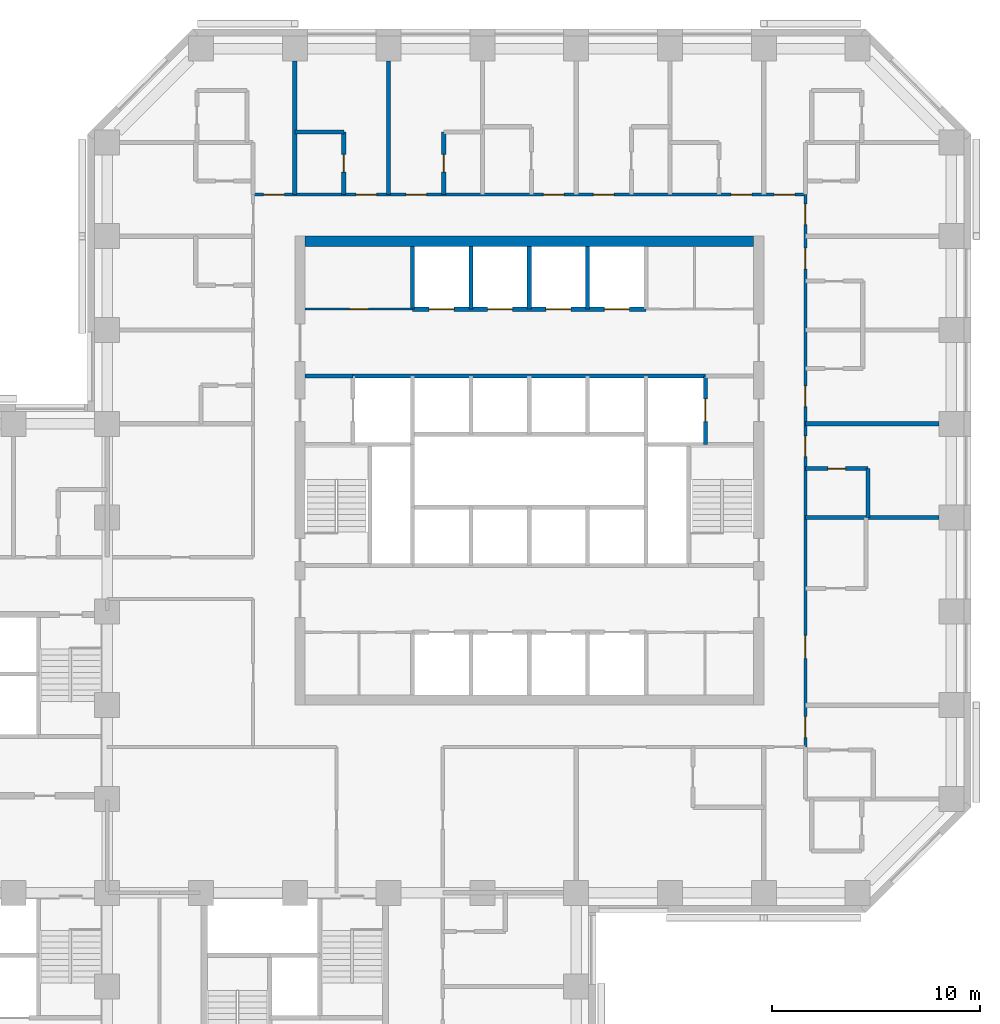
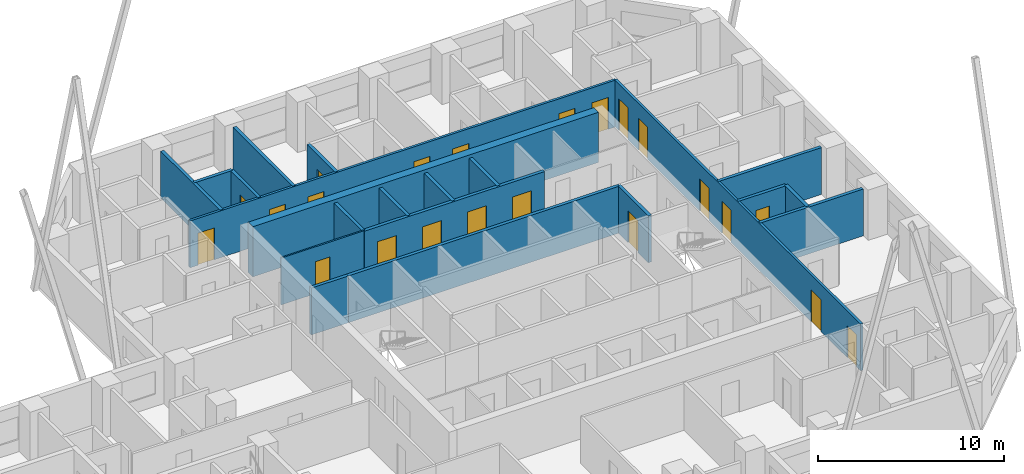
# One storey, part 10 of 14: 22 doors, 21 walls, 22 openings.
"""IFC4 building model written with IfcOpenShell, lengths in metres."""

import ifcopenshell
import ifcopenshell.guid

model = None  # the IFC model being written
_history = None  # IfcOwnerHistory: only IFC2X3 demands one
_inside = {}  # id of a spatial element -> (the spatial element, [elements in it])
_under = {}  # id of a project, library or spatial element -> (it, [spatial elements below it])
_declared = {}  # id of a project -> (the project, [libraries it declares])
_typed = {}  # id of a type object -> (the type object, [elements of that type])
_made_of = {}  # id of a material, layer set ... -> (it, [elements and type objects made of it])


def new_model(schema):
    """Start an empty IFC model of exactly this schema.

    Asked for "IFC4X3", IfcOpenShell would pick the latest addendum, in which some entities
    have other attributes; the version numbers below select the first issue.
    IFC2X3 requires an IfcOwnerHistory on every rooted entity: one is made here for all.
    """
    global model, _history
    if schema == "IFC4X3":
        model = ifcopenshell.file(schema_version=(4, 3, 0, 0))
    else:
        model = ifcopenshell.file(schema=schema)
    _inside.clear()
    _under.clear()
    _declared.clear()
    _typed.clear()
    _made_of.clear()
    _history = None
    if model.schema == "IFC2X3":
        org = make("IfcOrganization", Name="unknown")
        user = make(
            "IfcPersonAndOrganization",
            ThePerson=make("IfcPerson", FamilyName="unknown"),
            TheOrganization=org,
        )
        app = make(
            "IfcApplication",
            ApplicationDeveloper=org,
            Version="unknown",
            ApplicationFullName="unknown",
            ApplicationIdentifier="unknown",
        )
        _history = make(
            "IfcOwnerHistory",
            OwningUser=user,
            OwningApplication=app,
            ChangeAction="ADDED",
            CreationDate=0,
        )
    return model


def make(cls, **values):
    """One entity of the class cls with the attributes given. An attribute that is None is left unset."""
    return model.create_entity(
        cls, **{name: value for name, value in values.items() if value is not None}
    )


def rooted(cls, **values):
    """An entity with a GlobalId (a new one), such as an element, a storey or a relation."""
    return make(cls, GlobalId=ifcopenshell.guid.new(), OwnerHistory=_history, **values)


def si_unit(unit_type, name, prefix=None):
    """IfcSIUnit, for example si_unit("LENGTHUNIT", "METRE", prefix="MILLI")."""
    return make("IfcSIUnit", UnitType=unit_type, Prefix=prefix, Name=name)


def assignment(units):
    """IfcUnitAssignment: the units of a project."""
    return None if units is None else make("IfcUnitAssignment", Units=units)


def point(xyz):
    """IfcCartesianPoint."""
    return None if xyz is None else make("IfcCartesianPoint", Coordinates=xyz)


def direction(xyz):
    """IfcDirection."""
    return None if xyz is None else make("IfcDirection", DirectionRatios=xyz)


def frame(location, z_axis=None, x_axis=None):
    """IfcAxis2Placement3D, a coordinate frame: its origin and axes. An axis left out is left unset."""
    return make(
        "IfcAxis2Placement3D",
        Location=point(location),
        Axis=direction(z_axis),
        RefDirection=direction(x_axis),
    )


def frame_2d(location, x_axis=None):
    """IfcAxis2Placement2D, a coordinate frame in the plane: its origin and x axis."""
    return make(
        "IfcAxis2Placement2D", Location=point(location), RefDirection=direction(x_axis)
    )


def origin():
    """The frame at (0, 0, 0) with its axes left unset."""
    return frame((0.0, 0.0, 0.0))


def place(relative_to, where):
    """IfcLocalPlacement: puts the frame where relative to a parent placement (None: the world)."""
    return make(
        "IfcLocalPlacement", PlacementRelTo=relative_to, RelativePlacement=where
    )


def context(
    kind, dimensions, precision=None, world=None, true_north=None, identifier=None
):
    """IfcGeometricRepresentationContext, for example the 3D "Model" context."""
    return make(
        "IfcGeometricRepresentationContext",
        ContextIdentifier=identifier,
        ContextType=kind,
        CoordinateSpaceDimension=dimensions,
        Precision=precision,
        WorldCoordinateSystem=world,
        TrueNorth=true_north,
    )


def subcontext(parent, identifier, kind, view, scale=None):
    """IfcGeometricRepresentationSubContext, for example "Body" below "Model"."""
    return make(
        "IfcGeometricRepresentationSubContext",
        ContextIdentifier=identifier,
        ContextType=kind,
        ParentContext=parent,
        TargetScale=scale,
        TargetView=view,
    )


def project(units=None, contexts=None):
    """IfcProject with its units and contexts."""
    return rooted(
        "IfcProject",
        Name="project",
        RepresentationContexts=contexts,
        UnitsInContext=assignment(units),
    )


def spatial(cls, under=None, at=None, **own):
    """A site, building, storey or space (cls), placed at a placement, below another one or the project."""
    s = rooted(cls, ObjectPlacement=at, **own)
    if under is not None:
        _under.setdefault(under.id(), (under, []))[1].append(s)
    return s


def profile(cls, at=None, kind="AREA", **sizes):
    """A parametric profile (cls). Its sizes go by their IFC names, for example OverallWidth=200.0."""
    return make(cls, ProfileType=kind, Position=at, **sizes)


def rectangle(**sizes):
    """IfcRectangleProfileDef."""
    return profile("IfcRectangleProfileDef", **sizes)


def extrude(swept, where, along, depth):
    """IfcExtrudedAreaSolid: the profile swept, set in the frame where, extruded along a direction by depth."""
    return make(
        "IfcExtrudedAreaSolid",
        SweptArea=swept,
        Position=where,
        ExtrudedDirection=direction(along),
        Depth=depth,
    )


def shape(context_of_items, identifier, shape_type, items):
    """IfcShapeRepresentation: the items that make up one representation, for example the "Body"."""
    return make(
        "IfcShapeRepresentation",
        ContextOfItems=context_of_items,
        RepresentationIdentifier=identifier,
        RepresentationType=shape_type,
        Items=items,
    )


def material(Name=None, Category=None):
    """IfcMaterial."""
    return make("IfcMaterial", Name=Name, Category=Category)


def layer(
    of_material, thickness, ventilated=None, Name=None, Category=None, Priority=None
):
    """IfcMaterialLayer: one layer of a wall or slab, of a material (None: an air gap)."""
    return make(
        "IfcMaterialLayer",
        Material=of_material,
        LayerThickness=thickness,
        IsVentilated=ventilated,
        Name=Name,
        Category=Category,
        Priority=Priority,
    )


def layer_set(layers, Name=None):
    """IfcMaterialLayerSet."""
    return make("IfcMaterialLayerSet", MaterialLayers=layers, LayerSetName=Name)


def made_of(thing, what):
    """Note that an element or type object is made of a material, layer set ...; save() writes the relation."""
    if what is not None:
        _made_of.setdefault(what.id(), (what, []))[1].append(thing)
    return thing


def type_object(cls, material=None, **own):
    """A type object (cls), such as IfcWallType, which elements share."""
    return made_of(rooted(cls, **own), material)


def element(
    cls,
    number,
    at=None,
    inside=None,
    cuts=None,
    type_object=None,
    material=None,
    context=None,
    identifier="Body",
    shape_type=None,
    held_by="IfcProductDefinitionShape",
    body=None,
    shapes=None,
    **own,
):
    """One element of the class cls, such as IfcWall. Its Tag is "e" and its number.

    at: its placement. inside: the storey or other place that contains it. cuts: it is an
    opening in that element (IfcRelVoidsElement). A single representation is given by context,
    identifier, shape_type and body (its items); several are given by shapes. held_by: the class
    of the entity that holds the representations. save() writes the other relations.
    """
    e = rooted(cls, Tag="e%d" % number, ObjectPlacement=at, **own)
    if body is not None:
        shapes = [shape(context, identifier, shape_type, body)]
    if shapes is not None:
        e.Representation = make(held_by, Representations=shapes)
    if inside is not None:
        _inside.setdefault(inside.id(), (inside, []))[1].append(e)
    if cuts is not None:
        rooted(
            "IfcRelVoidsElement", RelatingBuildingElement=cuts, RelatedOpeningElement=e
        )
    if type_object is not None:
        _typed.setdefault(type_object.id(), (type_object, []))[1].append(e)
    return made_of(e, material)


def fill(opening, filler):
    """IfcRelFillsElement: the door or window that sits in an opening."""
    return rooted(
        "IfcRelFillsElement",
        RelatingOpeningElement=opening,
        RelatedBuildingElement=filler,
    )


def aggregate(whole, parts):
    """IfcRelAggregates: a whole, such as a stair, and the parts it consists of."""
    return rooted("IfcRelAggregates", RelatingObject=whole, RelatedObjects=parts)


def save(model, path):
    """Write the relations noted so far, then the file.

    IfcRelAggregates (storeys below a building ...), IfcRelContainedInSpatialStructure (elements
    in a storey), IfcRelDefinesByType, IfcRelAssociatesMaterial and IfcRelDeclares: one each for
    every whole, place, type object, material and project.
    """
    for whole, parts in _under.values():
        aggregate(whole, parts)
    for where, things in _inside.values():
        rooted(
            "IfcRelContainedInSpatialStructure",
            RelatedElements=things,
            RelatingStructure=where,
        )
    for kind, things in _typed.values():
        rooted("IfcRelDefinesByType", RelatedObjects=things, RelatingType=kind)
    for what, things in _made_of.values():
        rooted("IfcRelAssociatesMaterial", RelatedObjects=things, RelatingMaterial=what)
    for by, libraries in _declared.values():
        rooted("IfcRelDeclares", RelatingContext=by, RelatedDefinitions=libraries)
    model.write(path)


model = new_model("IFC4")

# Units and contexts
model_context = context("Model", 3, precision=1e-05, world=origin(), true_north=direction((0.0, 1.0)))
body_context = subcontext(model_context, "Body", "Model", "MODEL_VIEW")
ifc_project = project(units=[si_unit("LENGTHUNIT", "METRE"), si_unit("AREAUNIT", "SQUARE_METRE"), si_unit("VOLUMEUNIT", "CUBIC_METRE"), si_unit("PLANEANGLEUNIT", "RADIAN"), si_unit("MASSUNIT", "GRAM", prefix="KILO")], contexts=[model_context])

# Site, building, storey
site_placement = place(None, origin())
site = spatial("IfcSite", under=ifc_project, at=site_placement, CompositionType="ELEMENT")
building_placement = place(site_placement, origin())
building = spatial("IfcBuilding", under=site, at=building_placement, Name="Quoin Convention Tower", CompositionType="ELEMENT")
storey_placement = place(building_placement, frame((0.0, 0.0, 66.0)))
storey = spatial("IfcBuildingStorey", under=building, at=storey_placement, Name="L17", CompositionType="ELEMENT", Elevation=66.0)

# Wall, opening, door
ifc_material_1 = material(Name="Plasterboard")
ifc_layer_1 = layer(ifc_material_1, 0.012451171875, Name="Finish")
ifc_material_2 = material(Name="Steel stud framing", Category="steel")
ifc_layer_2 = layer(ifc_material_2, 0.074951171875, Name="Structure")
ifc_layer_3 = layer(ifc_material_1, 0.012451171875, Name="Finish")
ifc_layer_set_1 = layer_set([ifc_layer_1, ifc_layer_2, ifc_layer_3], Name="Steel stud framing")
wall_type_1 = type_object("IfcWallType", Name="Core partition wall", PredefinedType="PARTITIONING", material=ifc_layer_set_1)
wall_1_placement = place(storey_placement, frame((45.5, 68.5, 0.0), z_axis=(0.0, 0.0, 1.0), x_axis=(1.0, 0.0, 0.0)))
wall_1 = element("IfcWall", 1, at=wall_1_placement, inside=storey, type_object=wall_type_1, Name="cr-C1-L17-h19000_500", PredefinedType="PARTITIONING", context=body_context, shape_type="SweptSolid", body=[
    extrude(rectangle(XDim=5.14990234375, YDim=0.10009765625, at=frame_2d((2.574951171875, 0.0))), origin(), (0.0, 0.0, 1.0), 3.080078125),
])
opening_1_placement = place(wall_1_placement, frame((2.125, 0.0, 0.0)))
opening_1 = element("IfcOpeningElement", 2, at=opening_1_placement, cuts=wall_1, Name="Opening DCV0-24", PredefinedType="OPENING", context=body_context, shape_type="SweptSolid", body=[
    extrude(rectangle(XDim=0.89990234375, YDim=2.10009765625, at=frame_2d((0.449951171875, 1.050048828125))), frame((0.0, 0.06005859375, 0.0), z_axis=(0.0, -1.0, 0.0), x_axis=(1.0, 0.0, 0.0)), (0.0, 0.0, 1.0), 0.1201171875),
])
ifc_material_3 = material(Name="Steel door leaf", Category="steel")
door_type_1 = type_object("IfcDoorType", Name="Core room door 900 x 2100", OperationType="SINGLE_SWING_LEFT", PredefinedType="DOOR", material=ifc_material_3)
door_1_placement = place(opening_1_placement, origin())
door_1 = element("IfcDoor", 3, at=door_1_placement, inside=storey, type_object=door_type_1, Name="cd-C1-L17-CNW0-lobB-CD1709", OperationType="SINGLE_SWING_RIGHT", OverallHeight=2.10009765625, OverallWidth=0.89990234375, PredefinedType="DOOR", context=body_context, shape_type="SweptSolid", body=[
    extrude(rectangle(XDim=0.89990234375, YDim=2.10009765625, at=frame_2d((0.449951171875, 1.050048828125))), frame((0.0, 0.02490234375, 0.0), z_axis=(0.0, -1.0, 0.0), x_axis=(1.0, 0.0, 0.0)), (0.0, 0.0, 1.0), 0.050048828125),
])
fill(opening_1, door_1)

# Walls
ifc_material_4 = material(Name="Concrete C50", Category="concrete")
ifc_layer_4 = layer(ifc_material_4, 0.199951171875)
ifc_layer_set_2 = layer_set([ifc_layer_4], Name="Concrete C50")
wall_type_2 = type_object("IfcWallType", Name="Core shaft wall", PredefinedType="SOLIDWALL", material=ifc_layer_set_2)
wall_2_placement = place(storey_placement, frame((45.5, 65.300048828125, 0.0), z_axis=(0.0, 0.0, 1.0), x_axis=(1.0, 0.0, 0.0)))
element("IfcWall", 4, at=wall_2_placement, inside=storey, type_object=wall_type_2, Name="cr-C1-L17-h15800_500", PredefinedType="SOLIDWALL", context=body_context, shape_type="SweptSolid", body=[
    extrude(rectangle(XDim=2.300048828125, YDim=0.199951171875, at=frame_2d((1.14990234375, 0.0))), origin(), (0.0, 0.0, 1.0), 3.080078125),
])
wall_3_placement = place(storey_placement, frame((47.800048828125, 65.300048828125, 0.0), z_axis=(0.0, 0.0, 1.0), x_axis=(1.0, 0.0, 0.0)))
element("IfcWall", 5, at=wall_3_placement, inside=storey, type_object=wall_type_2, Name="cr-C1-L17-h15800_2800", PredefinedType="SOLIDWALL", context=body_context, shape_type="SweptSolid", body=[
    extrude(rectangle(XDim=16.89990234375, YDim=0.199951171875, at=frame_2d((8.449951171875, 0.0))), origin(), (0.0, 0.0, 1.0), 3.080078125),
])

# Wall, openings, doors
wall_4_placement = place(storey_placement, frame((50.64990234375, 68.5, 0.0), z_axis=(0.0, 0.0, 1.0), x_axis=(1.0, 0.0, 0.0)))
wall_4 = element("IfcWall", 6, at=wall_4_placement, inside=storey, type_object=wall_type_2, Name="cr-C1-L17-h19000_5650", PredefinedType="SOLIDWALL", context=body_context, shape_type="SweptSolid", body=[
    extrude(rectangle(XDim=11.2001953125, YDim=0.199951171875, at=frame_2d((5.60009765625, 0.0))), origin(), (0.0, 0.0, 1.0), 3.080078125),
])
opening_2_placement = place(wall_4_placement, frame((0.800048828125, 0.0, 0.0)))
opening_2 = element("IfcOpeningElement", 7, at=opening_2_placement, cuts=wall_4, Name="Opening LDL5", PredefinedType="OPENING", context=body_context, shape_type="SweptSolid", body=[
    extrude(rectangle(XDim=1.199951171875, YDim=2.10009765625, at=frame_2d((0.60009765625, 1.050048828125))), frame((0.0, 0.10986328125, 0.0), z_axis=(0.0, -1.0, 0.0), x_axis=(1.0, 0.0, 0.0)), (0.0, 0.0, 1.0), 0.219970703125),
])
opening_3_placement = place(wall_4_placement, frame((3.60009765625, 0.0, 0.0)))
opening_3 = element("IfcOpeningElement", 8, at=opening_3_placement, cuts=wall_4, Name="Opening LDL6", PredefinedType="OPENING", context=body_context, shape_type="SweptSolid", body=[
    extrude(rectangle(XDim=1.199951171875, YDim=2.10009765625, at=frame_2d((0.60009765625, 1.050048828125))), frame((0.0, 0.10986328125, 0.0), z_axis=(0.0, -1.0, 0.0), x_axis=(1.0, 0.0, 0.0)), (0.0, 0.0, 1.0), 0.219970703125),
])
opening_4_placement = place(wall_4_placement, frame((6.39990234375, 0.0, 0.0)))
opening_4 = element("IfcOpeningElement", 9, at=opening_4_placement, cuts=wall_4, Name="Opening LDL7", PredefinedType="OPENING", context=body_context, shape_type="SweptSolid", body=[
    extrude(rectangle(XDim=1.199951171875, YDim=2.10009765625, at=frame_2d((0.60009765625, 1.050048828125))), frame((0.0, 0.10986328125, 0.0), z_axis=(0.0, -1.0, 0.0), x_axis=(1.0, 0.0, 0.0)), (0.0, 0.0, 1.0), 0.219970703125),
])
opening_5_placement = place(wall_4_placement, frame((9.199951171875, 0.0, 0.0)))
opening_5 = element("IfcOpeningElement", 10, at=opening_5_placement, cuts=wall_4, Name="Opening LDL8", PredefinedType="OPENING", context=body_context, shape_type="SweptSolid", body=[
    extrude(rectangle(XDim=1.199951171875, YDim=2.10009765625, at=frame_2d((0.60009765625, 1.050048828125))), frame((0.0, 0.10986328125, 0.0), z_axis=(0.0, -1.0, 0.0), x_axis=(1.0, 0.0, 0.0)), (0.0, 0.0, 1.0), 0.219970703125),
])
door_type_2 = type_object("IfcDoorType", Name="Lift landing door 1200 x 2100", OperationType="DOUBLE_DOOR_SLIDING", PredefinedType="DOOR", material=ifc_material_3)
door_2_placement = place(opening_2_placement, origin())
door_2 = element("IfcDoor", 11, at=door_2_placement, inside=storey, type_object=door_type_2, Name="cd-C1-L17-R40-lobB-LDL5", OperationType="DOUBLE_DOOR_SLIDING", OverallHeight=2.10009765625, OverallWidth=1.199951171875, PredefinedType="DOOR", context=body_context, shape_type="SweptSolid", body=[
    extrude(rectangle(XDim=1.199951171875, YDim=2.10009765625, at=frame_2d((0.60009765625, 1.050048828125))), frame((0.0, 0.02490234375, 0.0), z_axis=(0.0, -1.0, 0.0), x_axis=(1.0, 0.0, 0.0)), (0.0, 0.0, 1.0), 0.050048828125),
])
fill(opening_2, door_2)
door_3_placement = place(opening_3_placement, origin())
door_3 = element("IfcDoor", 12, at=door_3_placement, inside=storey, type_object=door_type_2, Name="cd-C1-L17-R41-lobB-LDL6", OperationType="DOUBLE_DOOR_SLIDING", OverallHeight=2.10009765625, OverallWidth=1.199951171875, PredefinedType="DOOR", context=body_context, shape_type="SweptSolid", body=[
    extrude(rectangle(XDim=1.199951171875, YDim=2.10009765625, at=frame_2d((0.60009765625, 1.050048828125))), frame((0.0, 0.02490234375, 0.0), z_axis=(0.0, -1.0, 0.0), x_axis=(1.0, 0.0, 0.0)), (0.0, 0.0, 1.0), 0.050048828125),
])
fill(opening_3, door_3)
door_4_placement = place(opening_4_placement, origin())
door_4 = element("IfcDoor", 13, at=door_4_placement, inside=storey, type_object=door_type_2, Name="cd-C1-L17-R42-lobB-LDL7", OperationType="DOUBLE_DOOR_SLIDING", OverallHeight=2.10009765625, OverallWidth=1.199951171875, PredefinedType="DOOR", context=body_context, shape_type="SweptSolid", body=[
    extrude(rectangle(XDim=1.199951171875, YDim=2.10009765625, at=frame_2d((0.60009765625, 1.050048828125))), frame((0.0, 0.02490234375, 0.0), z_axis=(0.0, -1.0, 0.0), x_axis=(1.0, 0.0, 0.0)), (0.0, 0.0, 1.0), 0.050048828125),
])
fill(opening_4, door_4)
door_5_placement = place(opening_5_placement, origin())
door_5 = element("IfcDoor", 14, at=door_5_placement, inside=storey, type_object=door_type_2, Name="cd-C1-L17-R43-lobB-LDL8", OperationType="DOUBLE_DOOR_SLIDING", OverallHeight=2.10009765625, OverallWidth=1.199951171875, PredefinedType="DOOR", context=body_context, shape_type="SweptSolid", body=[
    extrude(rectangle(XDim=1.199951171875, YDim=2.10009765625, at=frame_2d((0.60009765625, 1.050048828125))), frame((0.0, 0.02490234375, 0.0), z_axis=(0.0, -1.0, 0.0), x_axis=(1.0, 0.0, 0.0)), (0.0, 0.0, 1.0), 0.050048828125),
])
fill(opening_5, door_5)

# Walls
for number, where, z_axis, x_axis, name in (
    (15, (50.64990234375, 68.5, 0.0), (0.0, 0.0, 1.0), (0.0, 1.0, 0.0), "cr-C1-L17-v5650_19000"),
    (16, (53.449951171875, 68.5, 0.0), (0.0, 0.0, 1.0), (0.0, 1.0, 0.0), "cr-C1-L17-v8450_19000"),
    (17, (56.25, 68.5, 0.0), (0.0, 0.0, 1.0), (0.0, 1.0, 0.0), "cr-C1-L17-v11250_19000"),
    (18, (59.050048828125, 68.5, 0.0), (0.0, 0.0, 1.0), (0.0, 1.0, 0.0), "cr-C1-L17-v14050_19000"),
):
    element("IfcWall", number, at=place(storey_placement, frame(where, z_axis=z_axis, x_axis=x_axis)), inside=storey, type_object=wall_type_2, Name=name, PredefinedType="SOLIDWALL", context=body_context, shape_type="SweptSolid", body=[
        extrude(rectangle(XDim=3.0, YDim=0.199951171875, at=frame_2d((1.5, 0.0))), origin(), (0.0, 0.0, 1.0), 3.080078125),
    ])

# Wall, opening, door
wall_5_placement = place(storey_placement, frame((64.699951171875, 62.0, 0.0), z_axis=(0.0, 0.0, 1.0), x_axis=(0.0, 1.0, 0.0)))
wall_5 = element("IfcWall", 19, at=wall_5_placement, inside=storey, type_object=wall_type_2, Name="cr-C1-L17-v19700_12500", PredefinedType="SOLIDWALL", context=body_context, shape_type="SweptSolid", body=[
    extrude(rectangle(XDim=3.300048828125, YDim=0.199951171875, at=frame_2d((1.64990234375, 0.0))), origin(), (0.0, 0.0, 1.0), 3.080078125),
])
opening_6_placement = place(wall_5_placement, frame((1.10009765625, 0.0, 0.0)))
opening_6 = element("IfcOpeningElement", 20, at=opening_6_placement, cuts=wall_5, Name="Opening LDFL2", PredefinedType="OPENING", context=body_context, shape_type="SweptSolid", body=[
    extrude(rectangle(XDim=1.10009765625, YDim=2.10009765625, at=frame_2d((0.550048828125, 1.050048828125))), frame((0.0, 0.10986328125, 0.0), z_axis=(0.0, -1.0, 0.0), x_axis=(1.0, 0.0, 0.0)), (0.0, 0.0, 1.0), 0.219970703125),
])
door_type_3 = type_object("IfcDoorType", Name="Lift landing door 1100 x 2100", OperationType="DOUBLE_DOOR_SLIDING", PredefinedType="DOOR", material=ifc_material_3)
door_6_placement = place(opening_6_placement, origin())
door_6 = element("IfcDoor", 21, at=door_6_placement, inside=storey, type_object=door_type_3, Name="cd-C1-L17-FLE-FFE-LDFL2", OperationType="DOUBLE_DOOR_SLIDING", OverallHeight=2.10009765625, OverallWidth=1.10009765625, PredefinedType="DOOR", context=body_context, shape_type="SweptSolid", body=[
    extrude(rectangle(XDim=1.10009765625, YDim=2.10009765625, at=frame_2d((0.550048828125, 1.050048828125))), frame((0.0, 0.02490234375, 0.0), z_axis=(0.0, -1.0, 0.0), x_axis=(1.0, 0.0, 0.0)), (0.0, 0.0, 1.0), 0.050048828125),
])
fill(opening_6, door_6)

# Walls
ifc_material_5 = material(Name="Concrete C80", Category="concrete")
ifc_layer_5 = layer(ifc_material_5, 0.5)
ifc_layer_set_3 = layer_set([ifc_layer_5], Name="Concrete C80")
wall_type_3 = type_object("IfcWallType", Name="RC CORE WALL 500 C80", PredefinedType="SHEAR", material=ifc_layer_set_3)
wall_6_placement = place(storey_placement, frame((45.5, 71.75, 0.0), z_axis=(0.0, 0.0, 1.0), x_axis=(1.0, 0.0, 0.0)))
element("IfcWall", 22, at=wall_6_placement, inside=storey, type_object=wall_type_3, Name="cwl-C1-L17-N", PredefinedType="SHEAR", context=body_context, shape_type="SweptSolid", body=[
    extrude(rectangle(XDim=21.5, YDim=0.5, at=frame_2d((10.75, 0.0))), origin(), (0.0, 0.0, 1.0), 3.300048828125),
])
ifc_layer_6 = layer(ifc_material_4, 0.199951171875)
ifc_layer_set_4 = layer_set([ifc_layer_6], Name="Concrete C50")
wall_type_4 = type_object("IfcWallType", Name="RC party wall", PredefinedType="SOLIDWALL", material=ifc_layer_set_4)
wall_7_placement = place(storey_placement, frame((69.5, 58.5, 0.0), z_axis=(0.0, 0.0, 1.0), x_axis=(1.0, 0.0, 0.0)))
element("IfcWall", 23, at=wall_7_placement, inside=storey, type_object=wall_type_4, Name="pw-L17-103", PredefinedType="SOLIDWALL", context=body_context, shape_type="SweptSolid", body=[
    extrude(rectangle(XDim=6.39990234375, YDim=0.199951171875, at=frame_2d((3.199951171875, 0.0))), origin(), (0.0, 0.0, 1.0), 3.080078125),
])
wall_8_placement = place(storey_placement, frame((72.5, 58.5, 0.0), z_axis=(0.0, 0.0, 1.0), x_axis=(0.0, 1.0, 0.0)))
element("IfcWall", 24, at=wall_8_placement, inside=storey, type_object=wall_type_4, Name="pw-L17-104", PredefinedType="SOLIDWALL", context=body_context, shape_type="SweptSolid", body=[
    extrude(rectangle(XDim=2.35009765625, YDim=0.199951171875, at=frame_2d((1.175048828125, 0.0))), origin(), (0.0, 0.0, 1.0), 3.080078125),
])

# Wall, opening, door
wall_9_placement = place(storey_placement, frame((69.5, 60.85009765625, 0.0), z_axis=(0.0, 0.0, 1.0), x_axis=(1.0, 0.0, 0.0)))
wall_9 = element("IfcWall", 25, at=wall_9_placement, inside=storey, type_object=wall_type_4, Name="pw-L17-108", PredefinedType="SOLIDWALL", context=body_context, shape_type="SweptSolid", body=[
    extrude(rectangle(XDim=3.0, YDim=0.199951171875, at=frame_2d((1.5, 0.0))), origin(), (0.0, 0.0, 1.0), 3.080078125),
])
opening_7_placement = place(wall_9_placement, frame((1.074951171875, 0.0, 0.0)))
opening_7 = element("IfcOpeningElement", 26, at=opening_7_placement, cuts=wall_9, Name="Opening DHOTEL-G-64", PredefinedType="OPENING", context=body_context, shape_type="SweptSolid", body=[
    extrude(rectangle(XDim=0.85009765625, YDim=2.10009765625, at=frame_2d((0.425048828125, 1.050048828125))), frame((0.0, 0.10986328125, 0.0), z_axis=(0.0, -1.0, 0.0), x_axis=(1.0, 0.0, 0.0)), (0.0, 0.0, 1.0), 0.219970703125),
])
door_type_4 = type_object("IfcDoorType", Name="Bathroom door", OperationType="SINGLE_SWING_LEFT", PredefinedType="DOOR", material=ifc_material_3)
door_7_placement = place(opening_7_placement, origin())
door_7 = element("IfcDoor", 27, at=door_7_placement, inside=storey, type_object=door_type_4, Name="dr-L17-058", OperationType="SINGLE_SWING_LEFT", OverallHeight=2.10009765625, OverallWidth=0.85009765625, PredefinedType="DOOR", context=body_context, shape_type="SweptSolid", body=[
    extrude(rectangle(XDim=0.85009765625, YDim=2.10009765625, at=frame_2d((0.425048828125, 1.050048828125))), frame((0.0, 0.02490234375, 0.0), z_axis=(0.0, -1.0, 0.0), x_axis=(1.0, 0.0, 0.0)), (0.0, 0.0, 1.0), 0.050048828125),
])
fill(opening_7, door_7)

# Walls
for number, where, z_axis, x_axis, name in (
    (28, (69.5, 63.0, 0.0), (0.0, 0.0, 1.0), (1.0, 0.0, 0.0), "pw-L17-111"),
    (29, (45.0, 74.0, 0.0), (0.0, 0.0, 1.0), (0.0, 1.0, 0.0), "pw-L17-123"),
):
    element("IfcWall", number, at=place(storey_placement, frame(where, z_axis=z_axis, x_axis=x_axis)), inside=storey, type_object=wall_type_4, Name=name, PredefinedType="SOLIDWALL", context=body_context, shape_type="SweptSolid", body=[
        extrude(rectangle(XDim=6.39990234375, YDim=0.199951171875, at=frame_2d((3.199951171875, 0.0))), origin(), (0.0, 0.0, 1.0), 3.080078125),
    ])

# Wall, opening, door
wall_10_placement = place(storey_placement, frame((47.35009765625, 74.0, 0.0), z_axis=(0.0, 0.0, 1.0), x_axis=(0.0, 1.0, 0.0)))
wall_10 = element("IfcWall", 30, at=wall_10_placement, inside=storey, type_object=wall_type_4, Name="pw-L17-124", PredefinedType="SOLIDWALL", context=body_context, shape_type="SweptSolid", body=[
    extrude(rectangle(XDim=3.0, YDim=0.199951171875, at=frame_2d((1.5, 0.0))), origin(), (0.0, 0.0, 1.0), 3.080078125),
])
opening_8_placement = place(wall_10_placement, frame((1.074951171875, 0.0, 0.0)))
opening_8 = element("IfcOpeningElement", 31, at=opening_8_placement, cuts=wall_10, Name="Opening DHOTEL-G-69", PredefinedType="OPENING", context=body_context, shape_type="SweptSolid", body=[
    extrude(rectangle(XDim=0.85009765625, YDim=2.10009765625, at=frame_2d((0.425048828125, 1.050048828125))), frame((0.0, 0.10986328125, 0.0), z_axis=(0.0, -1.0, 0.0), x_axis=(1.0, 0.0, 0.0)), (0.0, 0.0, 1.0), 0.219970703125),
])
door_8_placement = place(opening_8_placement, frame((0.85009765625, 0.0, 0.0), z_axis=(0.0, 0.0, 1.0), x_axis=(-1.0, 0.0, 0.0)))
door_8 = element("IfcDoor", 32, at=door_8_placement, inside=storey, type_object=door_type_4, Name="dr-L17-042", OperationType="SINGLE_SWING_RIGHT", OverallHeight=2.10009765625, OverallWidth=0.85009765625, PredefinedType="DOOR", context=body_context, shape_type="SweptSolid", body=[
    extrude(rectangle(XDim=0.85009765625, YDim=2.10009765625, at=frame_2d((0.425048828125, 1.050048828125))), frame((0.0, 0.02490234375, 0.0), z_axis=(0.0, -1.0, 0.0), x_axis=(1.0, 0.0, 0.0)), (0.0, 0.0, 1.0), 0.050048828125),
])
fill(opening_8, door_8)

# Wall
wall_11_placement = place(storey_placement, frame((49.5, 74.0, 0.0), z_axis=(0.0, 0.0, 1.0), x_axis=(0.0, 1.0, 0.0)))
element("IfcWall", 33, at=wall_11_placement, inside=storey, type_object=wall_type_4, Name="pw-L17-125", PredefinedType="SOLIDWALL", context=body_context, shape_type="SweptSolid", body=[
    extrude(rectangle(XDim=6.39990234375, YDim=0.199951171875, at=frame_2d((3.199951171875, 0.0))), origin(), (0.0, 0.0, 1.0), 3.080078125),
])

# Wall, opening, door
wall_12_placement = place(storey_placement, frame((52.14990234375, 74.0, 0.0), z_axis=(0.0, 0.0, 1.0), x_axis=(0.0, 1.0, 0.0)))
wall_12 = element("IfcWall", 34, at=wall_12_placement, inside=storey, type_object=wall_type_4, Name="pw-L17-126", PredefinedType="SOLIDWALL", context=body_context, shape_type="SweptSolid", body=[
    extrude(rectangle(XDim=3.0, YDim=0.199951171875, at=frame_2d((1.5, 0.0))), origin(), (0.0, 0.0, 1.0), 3.080078125),
])
opening_9_placement = place(wall_12_placement, frame((1.074951171875, 0.0, 0.0)))
opening_9 = element("IfcOpeningElement", 35, at=opening_9_placement, cuts=wall_12, Name="Opening DHOTEL-G-70", PredefinedType="OPENING", context=body_context, shape_type="SweptSolid", body=[
    extrude(rectangle(XDim=0.85009765625, YDim=2.10009765625, at=frame_2d((0.425048828125, 1.050048828125))), frame((0.0, 0.10986328125, 0.0), z_axis=(0.0, -1.0, 0.0), x_axis=(1.0, 0.0, 0.0)), (0.0, 0.0, 1.0), 0.219970703125),
])
door_9_placement = place(opening_9_placement, origin())
door_9 = element("IfcDoor", 36, at=door_9_placement, inside=storey, type_object=door_type_4, Name="dr-L17-044", OperationType="SINGLE_SWING_LEFT", OverallHeight=2.10009765625, OverallWidth=0.85009765625, PredefinedType="DOOR", context=body_context, shape_type="SweptSolid", body=[
    extrude(rectangle(XDim=0.85009765625, YDim=2.10009765625, at=frame_2d((0.425048828125, 1.050048828125))), frame((0.0, 0.02490234375, 0.0), z_axis=(0.0, -1.0, 0.0), x_axis=(1.0, 0.0, 0.0)), (0.0, 0.0, 1.0), 0.050048828125),
])
fill(opening_9, door_9)

# Wall
wall_13_placement = place(storey_placement, frame((45.0, 77.0, 0.0), z_axis=(0.0, 0.0, 1.0), x_axis=(1.0, 0.0, 0.0)))
element("IfcWall", 37, at=wall_13_placement, inside=storey, type_object=wall_type_4, Name="pw-L17-146", PredefinedType="SOLIDWALL", context=body_context, shape_type="SweptSolid", body=[
    extrude(rectangle(XDim=2.35009765625, YDim=0.199951171875, at=frame_2d((1.175048828125, 0.0))), origin(), (0.0, 0.0, 1.0), 3.080078125),
])

# Wall, openings, doors
ifc_layer_7 = layer(ifc_material_1, 0.012451171875, Name="Finish")
ifc_layer_8 = layer(ifc_material_2, 0.125, Name="Structure")
ifc_layer_9 = layer(ifc_material_1, 0.012451171875, Name="Finish")
ifc_layer_set_5 = layer_set([ifc_layer_7, ifc_layer_8, ifc_layer_9], Name="Steel stud framing")
wall_type_5 = type_object("IfcWallType", Name="corridor partition", PredefinedType="PARTITIONING", material=ifc_layer_set_5)
wall_14_placement = place(storey_placement, frame((69.5, 47.5, 0.0), z_axis=(0.0, 0.0, 1.0), x_axis=(0.0, 1.0, 0.0)))
wall_14 = element("IfcWall", 38, at=wall_14_placement, inside=storey, type_object=wall_type_5, Name="pw-L17-031", PredefinedType="PARTITIONING", context=body_context, shape_type="SweptSolid", body=[
    extrude(rectangle(XDim=26.5, YDim=0.14990234375, at=frame_2d((13.25, 0.0))), origin(), (0.0, 0.0, 1.0), 3.080078125),
])
opening_10_placement = place(wall_14_placement, frame((25.052978515625, 0.0, 0.0)))
opening_10 = element("IfcOpeningElement", 39, at=opening_10_placement, cuts=wall_14, Name="Opening DHOTEL-G-34", PredefinedType="OPENING", context=body_context, shape_type="SweptSolid", body=[
    extrude(rectangle(XDim=1.0, YDim=2.10009765625, at=frame_2d((0.5, 1.050048828125))), frame((0.0, 0.0849609375, 0.0), z_axis=(0.0, -1.0, 0.0), x_axis=(1.0, 0.0, 0.0)), (0.0, 0.0, 1.0), 0.169921875),
])
opening_11_placement = place(wall_14_placement, frame((22.925048828125, 0.0, 0.0)))
opening_11 = element("IfcOpeningElement", 40, at=opening_11_placement, cuts=wall_14, Name="Opening DHOTEL-G-33", PredefinedType="OPENING", context=body_context, shape_type="SweptSolid", body=[
    extrude(rectangle(XDim=1.0, YDim=2.10009765625, at=frame_2d((0.5, 1.050048828125))), frame((0.0, 0.0849609375, 0.0), z_axis=(0.0, -1.0, 0.0), x_axis=(1.0, 0.0, 0.0)), (0.0, 0.0, 1.0), 0.169921875),
])
opening_12_placement = place(wall_14_placement, frame((16.324951171875, 0.0, 0.0)))
opening_12 = element("IfcOpeningElement", 41, at=opening_12_placement, cuts=wall_14, Name="Opening DHOTEL-G-32", PredefinedType="OPENING", context=body_context, shape_type="SweptSolid", body=[
    extrude(rectangle(XDim=1.0, YDim=2.10009765625, at=frame_2d((0.5, 1.050048828125))), frame((0.0, 0.0849609375, 0.0), z_axis=(0.0, -1.0, 0.0), x_axis=(1.0, 0.0, 0.0)), (0.0, 0.0, 1.0), 0.169921875),
])
opening_13_placement = place(wall_14_placement, frame((13.925048828125, 0.0, 0.0)))
opening_13 = element("IfcOpeningElement", 42, at=opening_13_placement, cuts=wall_14, Name="Opening DHOTEL-G-31", PredefinedType="OPENING", context=body_context, shape_type="SweptSolid", body=[
    extrude(rectangle(XDim=1.0, YDim=2.10009765625, at=frame_2d((0.5, 1.050048828125))), frame((0.0, 0.0849609375, 0.0), z_axis=(0.0, -1.0, 0.0), x_axis=(1.0, 0.0, 0.0)), (0.0, 0.0, 1.0), 0.169921875),
])
opening_14_placement = place(wall_14_placement, frame((4.25, 0.0, 0.0)))
opening_14 = element("IfcOpeningElement", 43, at=opening_14_placement, cuts=wall_14, Name="Opening DHOTEL-G-30", PredefinedType="OPENING", context=body_context, shape_type="SweptSolid", body=[
    extrude(rectangle(XDim=1.10009765625, YDim=2.10009765625, at=frame_2d((0.550048828125, 1.050048828125))), frame((0.0, 0.0849609375, 0.0), z_axis=(0.0, -1.0, 0.0), x_axis=(1.0, 0.0, 0.0)), (0.0, 0.0, 1.0), 0.169921875),
])
opening_15_placement = place(wall_14_placement, frame((0.447021484375, 0.0, 0.0)))
opening_15 = element("IfcOpeningElement", 44, at=opening_15_placement, cuts=wall_14, Name="Opening DHOTEL-G-29", PredefinedType="OPENING", context=body_context, shape_type="SweptSolid", body=[
    extrude(rectangle(XDim=1.0, YDim=2.10009765625, at=frame_2d((0.5, 1.050048828125))), frame((0.0, 0.0849609375, 0.0), z_axis=(0.0, -1.0, 0.0), x_axis=(1.0, 0.0, 0.0)), (0.0, 0.0, 1.0), 0.169921875),
])
door_type_5 = type_object("IfcDoorType", Name="Accessible room door", OperationType="SINGLE_SWING_LEFT", PredefinedType="DOOR", material=ifc_material_3)
door_10_placement = place(opening_14_placement, frame((1.10009765625, 0.0, 0.0), z_axis=(0.0, 0.0, 1.0), x_axis=(-1.0, 0.0, 0.0)))
door_10 = element("IfcDoor", 45, at=door_10_placement, inside=storey, type_object=door_type_5, Name="dr-L17-059", OperationType="SINGLE_SWING_LEFT", OverallHeight=2.10009765625, OverallWidth=1.10009765625, PredefinedType="DOOR", context=body_context, shape_type="SweptSolid", body=[
    extrude(rectangle(XDim=1.10009765625, YDim=2.10009765625, at=frame_2d((0.550048828125, 1.050048828125))), frame((0.0, 0.02490234375, 0.0), z_axis=(0.0, -1.0, 0.0), x_axis=(1.0, 0.0, 0.0)), (0.0, 0.0, 1.0), 0.050048828125),
])
fill(opening_14, door_10)
door_type_6 = type_object("IfcDoorType", Name="Hotel room door", OperationType="SINGLE_SWING_LEFT", PredefinedType="DOOR", material=ifc_material_3)
door_11_placement = place(opening_10_placement, frame((1.0, 0.0, 0.0), z_axis=(0.0, 0.0, 1.0), x_axis=(-1.0, 0.0, 0.0)))
door_11 = element("IfcDoor", 46, at=door_11_placement, inside=storey, type_object=door_type_6, Name="dr-L17-051", OperationType="SINGLE_SWING_LEFT", OverallHeight=2.10009765625, OverallWidth=1.0, PredefinedType="DOOR", context=body_context, shape_type="SweptSolid", body=[
    extrude(rectangle(XDim=1.0, YDim=2.10009765625, at=frame_2d((0.5, 1.050048828125))), frame((0.0, 0.02490234375, 0.0), z_axis=(0.0, -1.0, 0.0), x_axis=(1.0, 0.0, 0.0)), (0.0, 0.0, 1.0), 0.050048828125),
])
fill(opening_10, door_11)
door_12_placement = place(opening_11_placement, frame((1.0, 0.0, 0.0), z_axis=(0.0, 0.0, 1.0), x_axis=(-1.0, 0.0, 0.0)))
door_12 = element("IfcDoor", 47, at=door_12_placement, inside=storey, type_object=door_type_6, Name="dr-L17-053", OperationType="SINGLE_SWING_LEFT", OverallHeight=2.10009765625, OverallWidth=1.0, PredefinedType="DOOR", context=body_context, shape_type="SweptSolid", body=[
    extrude(rectangle(XDim=1.0, YDim=2.10009765625, at=frame_2d((0.5, 1.050048828125))), frame((0.0, 0.02490234375, 0.0), z_axis=(0.0, -1.0, 0.0), x_axis=(1.0, 0.0, 0.0)), (0.0, 0.0, 1.0), 0.050048828125),
])
fill(opening_11, door_12)
door_13_placement = place(opening_12_placement, frame((1.0, 0.0, 0.0), z_axis=(0.0, 0.0, 1.0), x_axis=(-1.0, 0.0, 0.0)))
door_13 = element("IfcDoor", 48, at=door_13_placement, inside=storey, type_object=door_type_6, Name="dr-L17-055", OperationType="SINGLE_SWING_LEFT", OverallHeight=2.10009765625, OverallWidth=1.0, PredefinedType="DOOR", context=body_context, shape_type="SweptSolid", body=[
    extrude(rectangle(XDim=1.0, YDim=2.10009765625, at=frame_2d((0.5, 1.050048828125))), frame((0.0, 0.02490234375, 0.0), z_axis=(0.0, -1.0, 0.0), x_axis=(1.0, 0.0, 0.0)), (0.0, 0.0, 1.0), 0.050048828125),
])
fill(opening_12, door_13)
door_14_placement = place(opening_13_placement, frame((1.0, 0.0, 0.0), z_axis=(0.0, 0.0, 1.0), x_axis=(-1.0, 0.0, 0.0)))
door_14 = element("IfcDoor", 49, at=door_14_placement, inside=storey, type_object=door_type_6, Name="dr-L17-057", OperationType="SINGLE_SWING_LEFT", OverallHeight=2.10009765625, OverallWidth=1.0, PredefinedType="DOOR", context=body_context, shape_type="SweptSolid", body=[
    extrude(rectangle(XDim=1.0, YDim=2.10009765625, at=frame_2d((0.5, 1.050048828125))), frame((0.0, 0.02490234375, 0.0), z_axis=(0.0, -1.0, 0.0), x_axis=(1.0, 0.0, 0.0)), (0.0, 0.0, 1.0), 0.050048828125),
])
fill(opening_13, door_14)
door_15_placement = place(opening_15_placement, frame((1.0, 0.0, 0.0), z_axis=(0.0, 0.0, 1.0), x_axis=(-1.0, 0.0, 0.0)))
door_15 = element("IfcDoor", 50, at=door_15_placement, inside=storey, type_object=door_type_6, Name="dr-L17-061", OperationType="SINGLE_SWING_LEFT", OverallHeight=2.10009765625, OverallWidth=1.0, PredefinedType="DOOR", context=body_context, shape_type="SweptSolid", body=[
    extrude(rectangle(XDim=1.0, YDim=2.10009765625, at=frame_2d((0.5, 1.050048828125))), frame((0.0, 0.02490234375, 0.0), z_axis=(0.0, -1.0, 0.0), x_axis=(1.0, 0.0, 0.0)), (0.0, 0.0, 1.0), 0.050048828125),
])
fill(opening_15, door_15)

wall_15_placement = place(storey_placement, frame((43.0, 74.0, 0.0), z_axis=(0.0, 0.0, 1.0), x_axis=(1.0, 0.0, 0.0)))
wall_15 = element("IfcWall", 51, at=wall_15_placement, inside=storey, type_object=wall_type_5, Name="pw-L17-038", PredefinedType="PARTITIONING", context=body_context, shape_type="SweptSolid", body=[
    extrude(rectangle(XDim=26.5, YDim=0.14990234375, at=frame_2d((13.25, 0.0))), origin(), (0.0, 0.0, 1.0), 3.080078125),
])
opening_16_placement = place(wall_15_placement, frame((4.925048828125, 0.0, 0.0)))
opening_16 = element("IfcOpeningElement", 52, at=opening_16_placement, cuts=wall_15, Name="Opening DHOTEL-G-41", PredefinedType="OPENING", context=body_context, shape_type="SweptSolid", body=[
    extrude(rectangle(XDim=1.0, YDim=2.10009765625, at=frame_2d((0.5, 1.050048828125))), frame((0.0, 0.0849609375, 0.0), z_axis=(0.0, -1.0, 0.0), x_axis=(1.0, 0.0, 0.0)), (0.0, 0.0, 1.0), 0.169921875),
])
opening_17_placement = place(wall_15_placement, frame((7.324951171875, 0.0, 0.0)))
opening_17 = element("IfcOpeningElement", 53, at=opening_17_placement, cuts=wall_15, Name="Opening DHOTEL-G-42", PredefinedType="OPENING", context=body_context, shape_type="SweptSolid", body=[
    extrude(rectangle(XDim=1.0, YDim=2.10009765625, at=frame_2d((0.5, 1.050048828125))), frame((0.0, 0.0849609375, 0.0), z_axis=(0.0, -1.0, 0.0), x_axis=(1.0, 0.0, 0.0)), (0.0, 0.0, 1.0), 0.169921875),
])
opening_18_placement = place(wall_15_placement, frame((13.925048828125, 0.0, 0.0)))
opening_18 = element("IfcOpeningElement", 54, at=opening_18_placement, cuts=wall_15, Name="Opening DHOTEL-G-43", PredefinedType="OPENING", context=body_context, shape_type="SweptSolid", body=[
    extrude(rectangle(XDim=1.0, YDim=2.10009765625, at=frame_2d((0.5, 1.050048828125))), frame((0.0, 0.0849609375, 0.0), z_axis=(0.0, -1.0, 0.0), x_axis=(1.0, 0.0, 0.0)), (0.0, 0.0, 1.0), 0.169921875),
])
opening_19_placement = place(wall_15_placement, frame((16.324951171875, 0.0, 0.0)))
opening_19 = element("IfcOpeningElement", 55, at=opening_19_placement, cuts=wall_15, Name="Opening DHOTEL-G-44", PredefinedType="OPENING", context=body_context, shape_type="SweptSolid", body=[
    extrude(rectangle(XDim=1.0, YDim=2.10009765625, at=frame_2d((0.5, 1.050048828125))), frame((0.0, 0.0849609375, 0.0), z_axis=(0.0, -1.0, 0.0), x_axis=(1.0, 0.0, 0.0)), (0.0, 0.0, 1.0), 0.169921875),
])
opening_20_placement = place(wall_15_placement, frame((22.925048828125, 0.0, 0.0)))
opening_20 = element("IfcOpeningElement", 56, at=opening_20_placement, cuts=wall_15, Name="Opening DHOTEL-G-45", PredefinedType="OPENING", context=body_context, shape_type="SweptSolid", body=[
    extrude(rectangle(XDim=1.0, YDim=2.10009765625, at=frame_2d((0.5, 1.050048828125))), frame((0.0, 0.0849609375, 0.0), z_axis=(0.0, -1.0, 0.0), x_axis=(1.0, 0.0, 0.0)), (0.0, 0.0, 1.0), 0.169921875),
])
opening_21_placement = place(wall_15_placement, frame((0.5, 0.0, 0.0)))
opening_21 = element("IfcOpeningElement", 57, at=opening_21_placement, cuts=wall_15, Name="Opening DHOTEL-G-40", PredefinedType="OPENING", context=body_context, shape_type="SweptSolid", body=[
    extrude(rectangle(XDim=1.0, YDim=2.10009765625, at=frame_2d((0.5, 1.050048828125))), frame((0.0, 0.0849609375, 0.0), z_axis=(0.0, -1.0, 0.0), x_axis=(1.0, 0.0, 0.0)), (0.0, 0.0, 1.0), 0.169921875),
])
opening_22_placement = place(wall_15_placement, frame((25.0, 0.0, 0.0)))
opening_22 = element("IfcOpeningElement", 58, at=opening_22_placement, cuts=wall_15, Name="Opening DHOTEL-G-46", PredefinedType="OPENING", context=body_context, shape_type="SweptSolid", body=[
    extrude(rectangle(XDim=1.0, YDim=2.10009765625, at=frame_2d((0.5, 1.050048828125))), frame((0.0, 0.0849609375, 0.0), z_axis=(0.0, -1.0, 0.0), x_axis=(1.0, 0.0, 0.0)), (0.0, 0.0, 1.0), 0.169921875),
])
door_16_placement = place(opening_16_placement, origin())
door_16 = element("IfcDoor", 59, at=door_16_placement, inside=storey, type_object=door_type_6, Name="dr-L17-041", OperationType="SINGLE_SWING_RIGHT", OverallHeight=2.10009765625, OverallWidth=1.0, PredefinedType="DOOR", context=body_context, shape_type="SweptSolid", body=[
    extrude(rectangle(XDim=1.0, YDim=2.10009765625, at=frame_2d((0.5, 1.050048828125))), frame((0.0, 0.02490234375, 0.0), z_axis=(0.0, -1.0, 0.0), x_axis=(1.0, 0.0, 0.0)), (0.0, 0.0, 1.0), 0.050048828125),
])
fill(opening_16, door_16)
door_17_placement = place(opening_17_placement, origin())
door_17 = element("IfcDoor", 60, at=door_17_placement, inside=storey, type_object=door_type_6, Name="dr-L17-043", OperationType="SINGLE_SWING_RIGHT", OverallHeight=2.10009765625, OverallWidth=1.0, PredefinedType="DOOR", context=body_context, shape_type="SweptSolid", body=[
    extrude(rectangle(XDim=1.0, YDim=2.10009765625, at=frame_2d((0.5, 1.050048828125))), frame((0.0, 0.02490234375, 0.0), z_axis=(0.0, -1.0, 0.0), x_axis=(1.0, 0.0, 0.0)), (0.0, 0.0, 1.0), 0.050048828125),
])
fill(opening_17, door_17)
door_18_placement = place(opening_18_placement, origin())
door_18 = element("IfcDoor", 61, at=door_18_placement, inside=storey, type_object=door_type_6, Name="dr-L17-045", OperationType="SINGLE_SWING_RIGHT", OverallHeight=2.10009765625, OverallWidth=1.0, PredefinedType="DOOR", context=body_context, shape_type="SweptSolid", body=[
    extrude(rectangle(XDim=1.0, YDim=2.10009765625, at=frame_2d((0.5, 1.050048828125))), frame((0.0, 0.02490234375, 0.0), z_axis=(0.0, -1.0, 0.0), x_axis=(1.0, 0.0, 0.0)), (0.0, 0.0, 1.0), 0.050048828125),
])
fill(opening_18, door_18)
door_19_placement = place(opening_19_placement, origin())
door_19 = element("IfcDoor", 62, at=door_19_placement, inside=storey, type_object=door_type_6, Name="dr-L17-047", OperationType="SINGLE_SWING_RIGHT", OverallHeight=2.10009765625, OverallWidth=1.0, PredefinedType="DOOR", context=body_context, shape_type="SweptSolid", body=[
    extrude(rectangle(XDim=1.0, YDim=2.10009765625, at=frame_2d((0.5, 1.050048828125))), frame((0.0, 0.02490234375, 0.0), z_axis=(0.0, -1.0, 0.0), x_axis=(1.0, 0.0, 0.0)), (0.0, 0.0, 1.0), 0.050048828125),
])
fill(opening_19, door_19)
door_20_placement = place(opening_20_placement, origin())
door_20 = element("IfcDoor", 63, at=door_20_placement, inside=storey, type_object=door_type_6, Name="dr-L17-049", OperationType="SINGLE_SWING_RIGHT", OverallHeight=2.10009765625, OverallWidth=1.0, PredefinedType="DOOR", context=body_context, shape_type="SweptSolid", body=[
    extrude(rectangle(XDim=1.0, YDim=2.10009765625, at=frame_2d((0.5, 1.050048828125))), frame((0.0, 0.02490234375, 0.0), z_axis=(0.0, -1.0, 0.0), x_axis=(1.0, 0.0, 0.0)), (0.0, 0.0, 1.0), 0.050048828125),
])
fill(opening_20, door_20)
door_21_placement = place(opening_21_placement, origin())
door_21 = element("IfcDoor", 64, at=door_21_placement, inside=storey, type_object=door_type_6, Name="dr-L17-071", OperationType="SINGLE_SWING_RIGHT", OverallHeight=2.10009765625, OverallWidth=1.0, PredefinedType="DOOR", context=body_context, shape_type="SweptSolid", body=[
    extrude(rectangle(XDim=1.0, YDim=2.10009765625, at=frame_2d((0.5, 1.050048828125))), frame((0.0, 0.02490234375, 0.0), z_axis=(0.0, -1.0, 0.0), x_axis=(1.0, 0.0, 0.0)), (0.0, 0.0, 1.0), 0.050048828125),
])
fill(opening_21, door_21)
door_22_placement = place(opening_22_placement, origin())
door_22 = element("IfcDoor", 65, at=door_22_placement, inside=storey, type_object=door_type_6, Name="dr-L17-073", OperationType="SINGLE_SWING_RIGHT", OverallHeight=2.10009765625, OverallWidth=1.0, PredefinedType="DOOR", context=body_context, shape_type="SweptSolid", body=[
    extrude(rectangle(XDim=1.0, YDim=2.10009765625, at=frame_2d((0.5, 1.050048828125))), frame((0.0, 0.02490234375, 0.0), z_axis=(0.0, -1.0, 0.0), x_axis=(1.0, 0.0, 0.0)), (0.0, 0.0, 1.0), 0.050048828125),
])
fill(opening_22, door_22)

save(model, "model.ifc")
